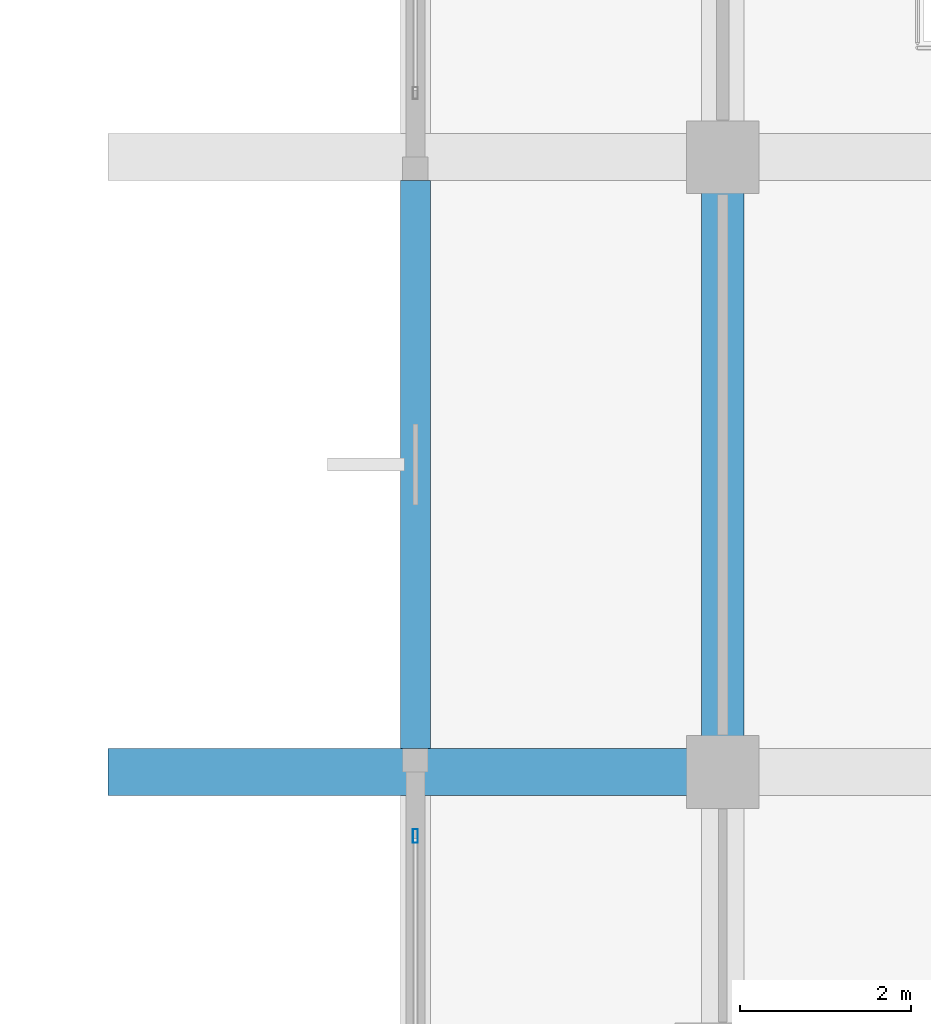
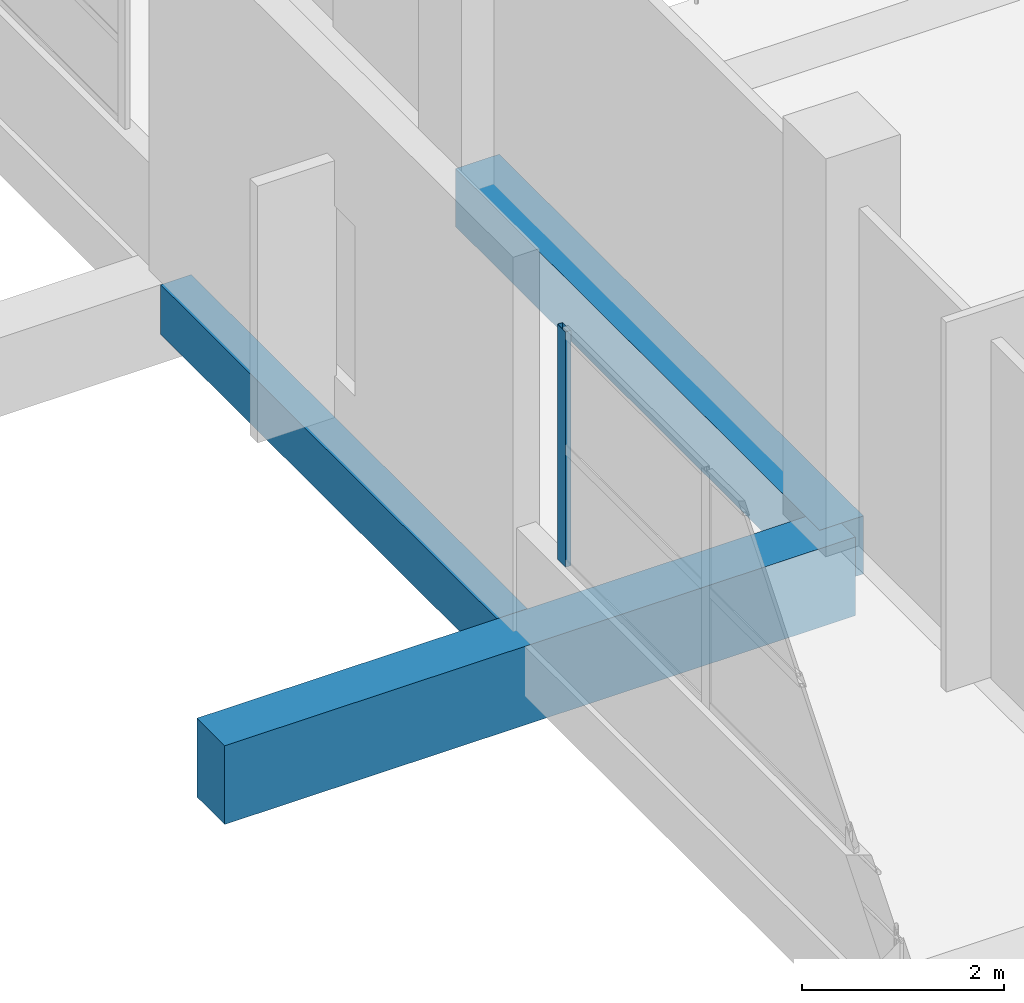
# One storey, part 18 of 181: 3 beams, 1 member, 1 element without a shape of its own.
"""IFC4 building model written with IfcOpenShell, lengths in metres."""

from ifc_helpers import new_model, si_unit, direction, frame, origin, origin_2d, place, context, subcontext, project, spatial, rectangle, hollow_rectangle, extrude, material, layer, layer_set, material_profile, profile_set, type_object, element, aggregate, save


model = new_model("IFC4")

# Units and contexts
model_context = context("Model", 3, precision=1e-05, world=origin(), true_north=direction((0.0, 1.0)))
body_context = subcontext(model_context, "Body", "Model", "MODEL_VIEW")
ifc_project = project(units=[si_unit("LENGTHUNIT", "METRE"), si_unit("AREAUNIT", "SQUARE_METRE"), si_unit("VOLUMEUNIT", "CUBIC_METRE"), si_unit("PLANEANGLEUNIT", "RADIAN"), si_unit("MASSUNIT", "GRAM", prefix="KILO")], contexts=[model_context])

# Site, building, storey
site_placement = place(None, origin())
site = spatial("IfcSite", under=ifc_project, at=site_placement, CompositionType="ELEMENT")
building_placement = place(site_placement, origin())
building = spatial("IfcBuilding", under=site, at=building_placement, Name="Seraya Terrace Polytechnic", CompositionType="ELEMENT")
storey_placement = place(building_placement, frame((0.0, 0.0, 4.800048828125)))
storey = spatial("IfcBuildingStorey", under=building, at=storey_placement, Name="L01", CompositionType="ELEMENT", Elevation=4.800048828125)

# Beams
ifc_material_1 = material(Name="Concrete C40/50", Category="concrete")
ifc_material_profile_1 = material_profile(ifc_material_1, rectangle(XDim=0.550048828125, YDim=0.949951171875, at=origin_2d()), Name="RC 550x950")
ifc_profile_set_1 = profile_set([ifc_material_profile_1], Name="Concrete C40/50")
beam_type_1 = type_object("IfcBeamType", Name="BM-03", PredefinedType="BEAM", material=ifc_profile_set_1)
beam_1_placement = place(storey_placement, frame((0.0, 43.199951171875, -0.47509765625), z_axis=(1.0, 0.0, 0.0), x_axis=(0.0, 1.0, 0.0)))
element("IfcBeam", 1, at=beam_1_placement, inside=storey, type_object=beam_type_1, Name="Beam BM-03 L01 X (0.0..7.2, 43.2)", PredefinedType="BEAM", context=body_context, shape_type="SweptSolid", body=[
    extrude(rectangle(XDim=0.550048828125, YDim=0.949951171875, at=origin_2d()), origin(), (0.0, 0.0, 1.0), 7.199951171875),
])
ifc_material_profile_2 = material_profile(ifc_material_1, rectangle(XDim=0.5, YDim=0.699951171875, at=origin_2d()), Name="RC 500x700")
ifc_profile_set_2 = profile_set([ifc_material_profile_2], Name="Concrete C40/50")
beam_type_2 = type_object("IfcBeamType", Name="BM-07", PredefinedType="BEAM", material=ifc_profile_set_2)
beam_2_placement = place(storey_placement, frame((7.199951171875, 43.199951171875, -0.35009765625), z_axis=(0.0, 1.0, 0.0), x_axis=(-1.0, 0.0, 0.0)))
element("IfcBeam", 2, at=beam_2_placement, inside=storey, type_object=beam_type_2, Name="Beam BM-07 L01 Y (7.2, 43.2..50.4)", PredefinedType="BEAM", context=body_context, shape_type="SweptSolid", body=[
    extrude(rectangle(XDim=0.5, YDim=0.699951171875, at=origin_2d()), origin(), (0.0, 0.0, 1.0), 7.199951171875),
])

# Curtain wall, member
ifc_material_2 = material(Name="Anodised aluminium EN AW-6063 T6", Category="aluminium")
ifc_layer = layer(ifc_material_2, 0.179931640625, Name="CW-02")
ifc_layer_set = layer_set([ifc_layer], Name="Anodised aluminium EN AW-6063 T6")
curtain_wall_type = type_object("IfcCurtainWallType", Name="CW-02", PredefinedType="NOTDEFINED", material=ifc_layer_set)
curtain_wall_placement = place(storey_placement, origin())
curtain_wall = element("IfcCurtainWall", 3, at=curtain_wall_placement, inside=storey, type_object=curtain_wall_type, Name="Unitised curtain wall CW-02 (CW-L01-002)", PredefinedType="NOTDEFINED")
ifc_material_profile_3 = material_profile(ifc_material_2, hollow_rectangle(XDim=0.06005859375, YDim=0.159912109375, WallThickness=0.00341796875, at=origin_2d()), Name="RHS 160x60x3.5")
ifc_profile_set_3 = profile_set([ifc_material_profile_3], Name="Anodised aluminium EN AW-6063 T6")
member_type = type_object("IfcMemberType", Name="CWM-02", PredefinedType="MULLION", material=ifc_profile_set_3)
member_placement = place(storey_placement, frame((3.60009765625, 42.449951171875, 1.239990234375), z_axis=(0.0, 0.0, 1.0), x_axis=(-1.0, 0.0, 0.0)))
member = element("IfcMember", 4, at=member_placement, type_object=member_type, Name="CW-02 mullion 3", PredefinedType="MULLION", context=body_context, shape_type="SweptSolid", body=[
    extrude(hollow_rectangle(XDim=0.06005859375, YDim=0.159912109375, WallThickness=0.00341796875, at=origin_2d()), origin(), (0.0, 0.0, 1.0), 2.83984375),
])
aggregate(curtain_wall, [member])

# Beam
ifc_material_profile_4 = material_profile(ifc_material_1, rectangle(XDim=0.35009765625, YDim=0.60009765625, at=origin_2d()), Name="RC 350x600")
ifc_profile_set_4 = profile_set([ifc_material_profile_4], Name="Concrete C40/50")
beam_type_3 = type_object("IfcBeamType", Name="JS-02", PredefinedType="JOIST", material=ifc_profile_set_4)
beam_3_placement = place(storey_placement, frame((3.60009765625, 43.47509765625, -0.300048828125), z_axis=(0.0, 1.0, 0.0), x_axis=(-1.0, 0.0, 0.0)))
element("IfcBeam", 5, at=beam_3_placement, inside=storey, type_object=beam_type_3, Name="Secondary joist JS-02 L01", PredefinedType="JOIST", context=body_context, shape_type="SweptSolid", body=[
    extrude(rectangle(XDim=0.35009765625, YDim=0.60009765625, at=origin_2d()), origin(), (0.0, 0.0, 1.0), 6.64990234375),
])

save(model, "model.ifc")
